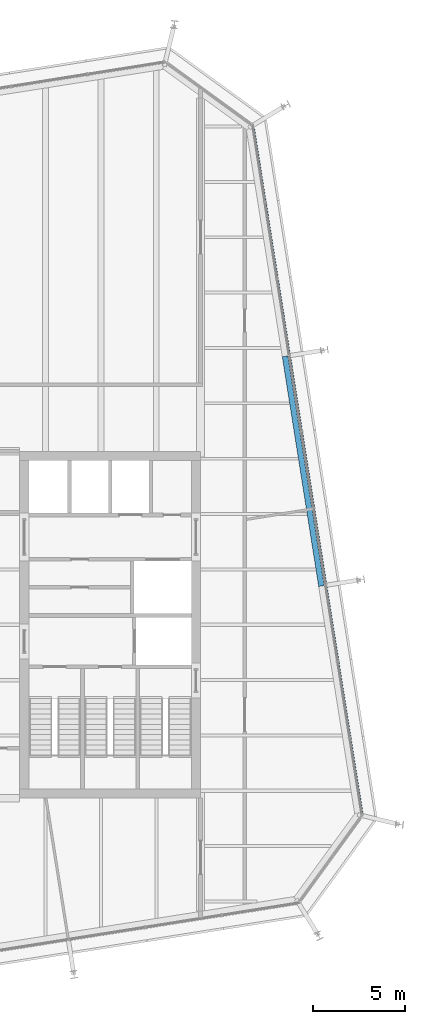
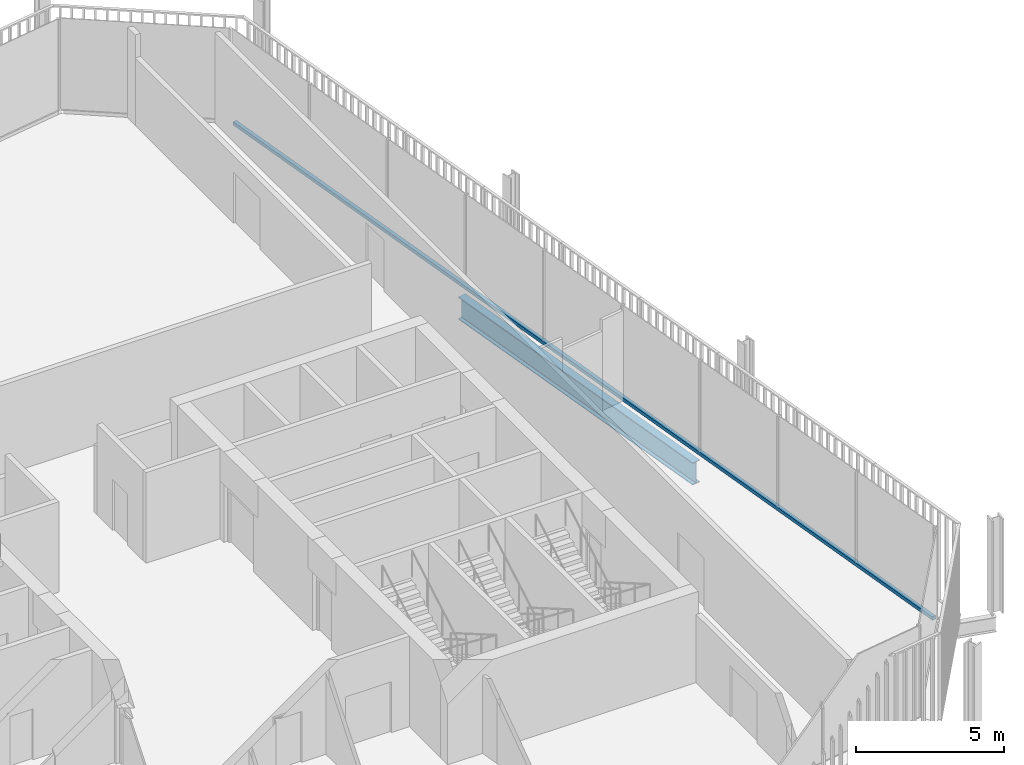
# One storey, part 9 of 20: 1 beam, 1 member, 1 element without a shape of its own.
"""IFC4 building model written with IfcOpenShell, lengths in metres."""

from ifc_helpers import new_model, si_unit, direction, frame, origin, origin_2d, place, context, subcontext, project, spatial, rectangle, i_section, extrude, material, layer, layer_set, material_profile, profile_set, type_object, element, aggregate, save


model = new_model("IFC4")

# Units and contexts
model_context = context("Model", 3, precision=1e-05, world=origin(), true_north=direction((0.0, 1.0)))
body_context = subcontext(model_context, "Body", "Model", "MODEL_VIEW")
ifc_project = project(units=[si_unit("LENGTHUNIT", "METRE"), si_unit("AREAUNIT", "SQUARE_METRE"), si_unit("VOLUMEUNIT", "CUBIC_METRE"), si_unit("PLANEANGLEUNIT", "RADIAN"), si_unit("MASSUNIT", "GRAM", prefix="KILO")], contexts=[model_context])

# Site, building, storey
site_placement = place(None, origin())
site = spatial("IfcSite", under=ifc_project, at=site_placement, CompositionType="ELEMENT")
building_placement = place(site_placement, origin())
building = spatial("IfcBuilding", under=site, at=building_placement, Name="Millrace Tower", CompositionType="ELEMENT")
storey_placement = place(building_placement, frame((0.0, 0.0, 259.10009765625)))
storey = spatial("IfcBuildingStorey", under=building, at=storey_placement, Name="L59", CompositionType="ELEMENT", Elevation=259.10009765625)

# Curtain wall, member
ifc_material_1 = material(Name="Aluminium and glass", Category="aluminium")
ifc_layer = layer(ifc_material_1, 0.14990234375)
ifc_layer_set = layer_set([ifc_layer], Name="Aluminium and glass")
curtain_wall_type = type_object("IfcCurtainWallType", Name="CW-1 office vision curtain wall", PredefinedType="NOTDEFINED", material=ifc_layer_set)
curtain_wall_placement = place(storey_placement, origin())
curtain_wall = element("IfcCurtainWall", 1, at=curtain_wall_placement, inside=storey, type_object=curtain_wall_type, Name="Curtain wall D-F04 L59", PredefinedType="NOTDEFINED")
ifc_material_2 = material(Name="Aluminium", Category="aluminium")
ifc_material_profile_1 = material_profile(ifc_material_2, rectangle(XDim=0.14990234375, YDim=0.139892578125, at=origin_2d()))
ifc_profile_set_1 = profile_set([ifc_material_profile_1], Name="Aluminium")
member_type = type_object("IfcMemberType", Name="CW-1 office vision curtain wall transom", PredefinedType="USERDEFINED", material=ifc_profile_set_1)
member_placement = place(storey_placement, frame((23.1318359375, -10.208740234375, 0.06982421875), z_axis=(-0.156432359726, 0.987688674042, 0.0), x_axis=(-0.987688674042, -0.156432359726, 0.0)))
member = element("IfcMember", 2, at=member_placement, type_object=member_type, Name="CW1 transom D-F04.1", ObjectType="TRANSOM", PredefinedType="USERDEFINED", context=body_context, shape_type="SweptSolid", body=[
    extrude(rectangle(XDim=0.14990234375, YDim=0.139892578125, at=origin_2d()), origin(), (0.0, 0.0, 1.0), 37.599853515625),
])
aggregate(curtain_wall, [member])

# Beam
ifc_material_3 = material(Name="Steel ASTM A992 Grade 50", Category="steel")
ifc_material_profile_2 = material_profile(ifc_material_3, i_section(OverallWidth=0.307373046875, OverallDepth=0.927001953125, WebThickness=0.01953125, FlangeThickness=0.031982421875, FilletRadius=0.01904296875, at=origin_2d()))
ifc_profile_set_2 = profile_set([ifc_material_profile_2], Name="Steel ASTM A992 Grade 50")
beam_type = type_object("IfcBeamType", Name="Ring beam medium span W36x194", PredefinedType="SPANDREL", material=ifc_profile_set_2)
beam_placement = place(storey_placement, frame((18.9794921875, 14.54638671875, -0.62353515625), z_axis=(0.1564441342, -0.987686809102, 0.0), x_axis=(0.987686809102, 0.1564441342, 0.0)))
element("IfcBeam", 3, at=beam_placement, inside=storey, type_object=beam_type, Name="RNG-D-L59-S1-10", PredefinedType="SPANDREL", context=body_context, shape_type="SweptSolid", body=[
    extrude(i_section(OverallWidth=0.307373046875, OverallDepth=0.927001953125, WebThickness=0.01953125, FlangeThickness=0.031982421875, FilletRadius=0.01904296875, at=origin_2d()), origin(), (0.0, 0.0, 1.0), 12.599853515625),
])

save(model, "model.ifc")
